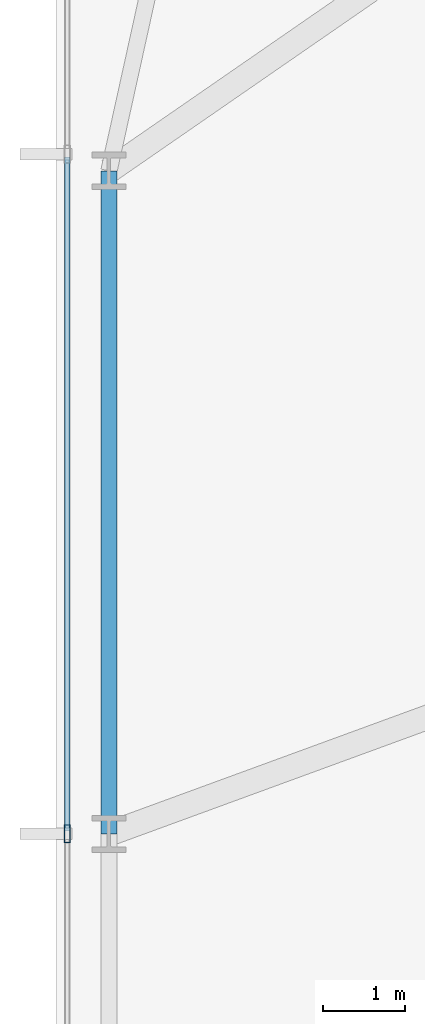
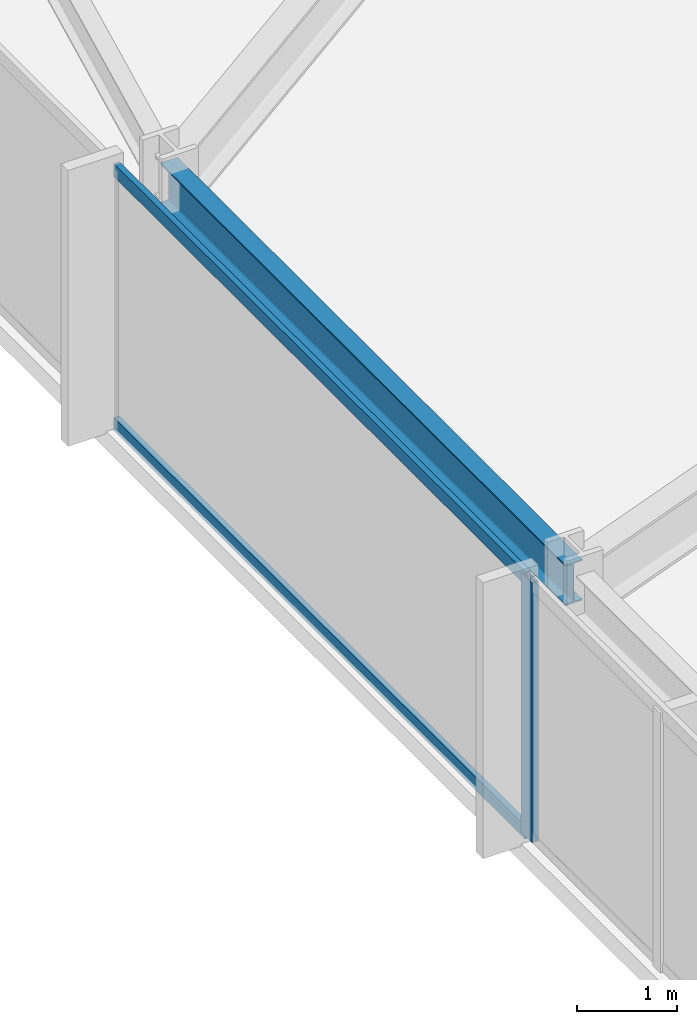
# One storey, part 7 of 32: 3 members, 1 beam, 1 element without a shape of its own.
"""IFC4 building model written with IfcOpenShell, lengths in metres."""

from ifc_helpers import new_model, si_unit, direction, frame, origin, origin_2d, place, context, subcontext, project, spatial, hollow_rectangle, i_section, extrude, material, material_profile, profile_set, type_object, element, aggregate, save


model = new_model("IFC4")

# Units and contexts
model_context = context("Model", 3, precision=1e-05, world=origin(), true_north=direction((0.0, 1.0)))
body_context = subcontext(model_context, "Body", "Model", "MODEL_VIEW")
ifc_project = project(units=[si_unit("LENGTHUNIT", "METRE"), si_unit("AREAUNIT", "SQUARE_METRE"), si_unit("VOLUMEUNIT", "CUBIC_METRE"), si_unit("PLANEANGLEUNIT", "RADIAN"), si_unit("MASSUNIT", "GRAM", prefix="KILO")], contexts=[model_context])

# Site, building, storey
site_placement = place(None, origin())
site = spatial("IfcSite", under=ifc_project, at=site_placement, CompositionType="ELEMENT")
building_placement = place(site_placement, origin())
building = spatial("IfcBuilding", under=site, at=building_placement, Name="Yelkora Congress Tower", CompositionType="ELEMENT")
storey_placement = place(building_placement, frame((0.0, 0.0, 57.60009765625)))
storey = spatial("IfcBuildingStorey", under=building, at=storey_placement, Name="L14", CompositionType="ELEMENT", Elevation=57.60009765625)

# Beam
ifc_material_1 = material(Name="Steel S355J2", Category="steel")
ifc_material_profile_1 = material_profile(ifc_material_1, i_section(OverallWidth=0.199951171875, OverallDepth=0.5, WebThickness=0.01025390625, FlangeThickness=0.01611328125, FilletRadius=0.02099609375, at=origin_2d()), Name="IPE 500")
ifc_profile_set_1 = profile_set([ifc_material_profile_1], Name="Steel S355J2")
beam_type = type_object("IfcBeamType", Name="BM-SPAN-IPE500", PredefinedType="SPANDREL", material=ifc_profile_set_1)
beam_placement = place(storey_placement, frame((6.64990234375, 37.52490234375, 2.929931640625), z_axis=(0.0, -1.0, 0.0), x_axis=(1.0, 0.0, 0.0)))
element("IfcBeam", 1, at=beam_placement, inside=storey, type_object=beam_type, Name="L14 Perimeter Beam 18", PredefinedType="SPANDREL", context=body_context, shape_type="SweptSolid", body=[
    extrude(i_section(OverallWidth=0.199951171875, OverallDepth=0.5, WebThickness=0.01025390625, FlangeThickness=0.01611328125, FilletRadius=0.02099609375, at=origin_2d()), origin(), (0.0, 0.0, 1.0), 8.125),
])

# Curtain wall, members
ifc_material_2 = material(Name="Anodised aluminium and insulated glass", Category="aluminium")
curtain_wall_type = type_object("IfcCurtainWallType", Name="CW-SYS-B1", PredefinedType="NOTDEFINED", material=ifc_material_2)
curtain_wall_placement = place(storey_placement, origin())
curtain_wall = element("IfcCurtainWall", 2, at=curtain_wall_placement, inside=storey, type_object=curtain_wall_type, Name="L14 Unitised Curtain Wall 5", PredefinedType="NOTDEFINED")
ifc_material_3 = material(Name="Anodised aluminium 6063-T6", Category="aluminium")
ifc_material_profile_2 = material_profile(ifc_material_3, hollow_rectangle(XDim=0.074951171875, YDim=0.219970703125, WallThickness=0.0048828125, at=origin_2d()), Name="ALU 75x220x5")
ifc_profile_set_2 = profile_set([ifc_material_profile_2], Name="Anodised aluminium 6063-T6")
member_type_1 = type_object("IfcMemberType", Name="MEM-ML-B1", PredefinedType="MULLION", material=ifc_profile_set_2)
member_1_placement = place(storey_placement, frame((6.139892578125, 29.39990234375, 0.0), z_axis=(0.0, 0.0, 1.0), x_axis=(-1.0, 0.0, 0.0)))
member_1 = element("IfcMember", 3, at=member_1_placement, type_object=member_type_1, Name="CW-B1 mullion 3", PredefinedType="MULLION", context=body_context, shape_type="SweptSolid", body=[
    extrude(hollow_rectangle(XDim=0.074951171875, YDim=0.219970703125, WallThickness=0.0048828125, at=origin_2d()), origin(), (0.0, 0.0, 1.0), 3.179931640625),
])
ifc_material_profile_3 = material_profile(ifc_material_3, hollow_rectangle(XDim=0.06494140625, YDim=0.159912109375, WallThickness=0.00390625, at=origin_2d()), Name="ALU 65x160x4")
ifc_profile_set_3 = profile_set([ifc_material_profile_3], Name="Anodised aluminium 6063-T6")
member_type_2 = type_object("IfcMemberType", Name="MEM-TR-B1", PredefinedType="USERDEFINED", material=ifc_profile_set_3)
member_2_placement = place(storey_placement, frame((6.139892578125, 29.4375, 0.032470703125), z_axis=(0.0, 1.0, 0.0), x_axis=(-1.0, 0.0, 0.0)))
member_2 = element("IfcMember", 4, at=member_2_placement, type_object=member_type_2, Name="CW-B1 transom 3.1", ObjectType="TRANSOM", PredefinedType="USERDEFINED", context=body_context, shape_type="SweptSolid", body=[
    extrude(hollow_rectangle(XDim=0.06494140625, YDim=0.159912109375, WallThickness=0.00390625, at=origin_2d()), origin(), (0.0, 0.0, 1.0), 8.2548828125),
])
member_3_placement = place(storey_placement, frame((6.139892578125, 29.4375, 3.1474609375), z_axis=(0.0, 1.0, 0.0), x_axis=(-1.0, 0.0, 0.0)))
member_3 = element("IfcMember", 5, at=member_3_placement, type_object=member_type_2, Name="CW-B1 transom 3.2", ObjectType="TRANSOM", PredefinedType="USERDEFINED", context=body_context, shape_type="SweptSolid", body=[
    extrude(hollow_rectangle(XDim=0.06494140625, YDim=0.159912109375, WallThickness=0.00390625, at=origin_2d()), origin(), (0.0, 0.0, 1.0), 8.2548828125),
])
aggregate(curtain_wall, [member_1, member_2, member_3])

save(model, "model.ifc")
